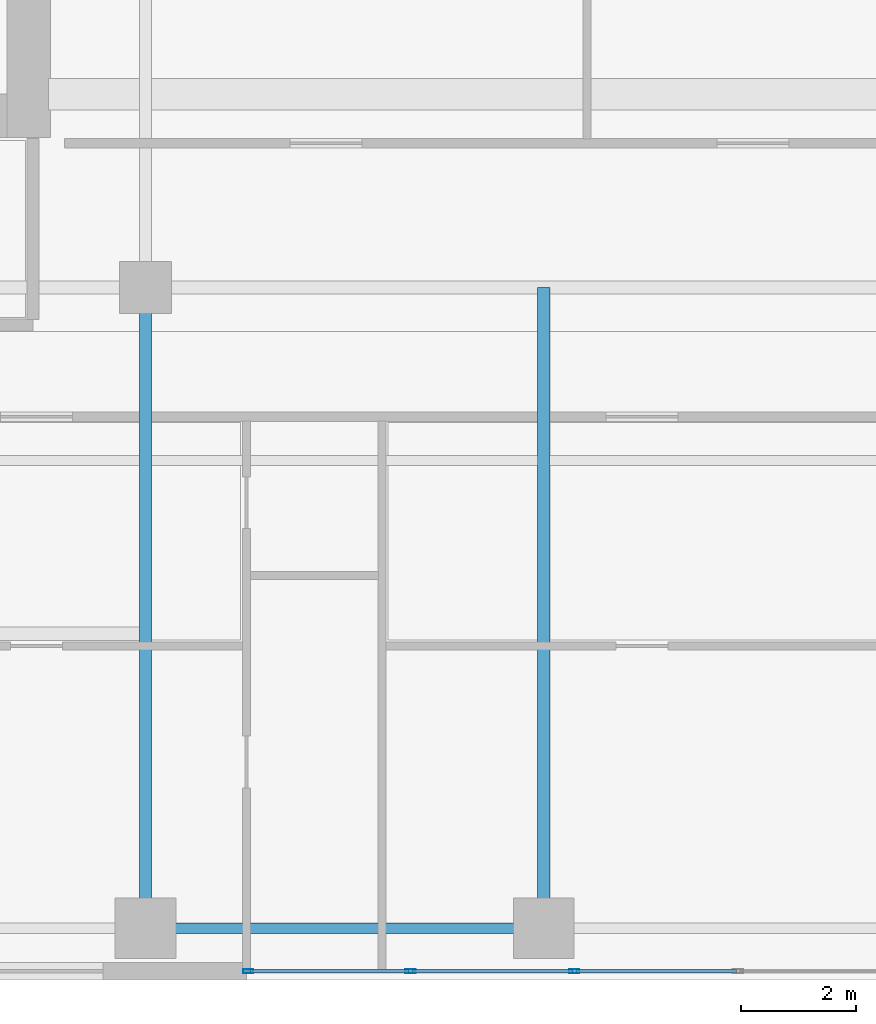
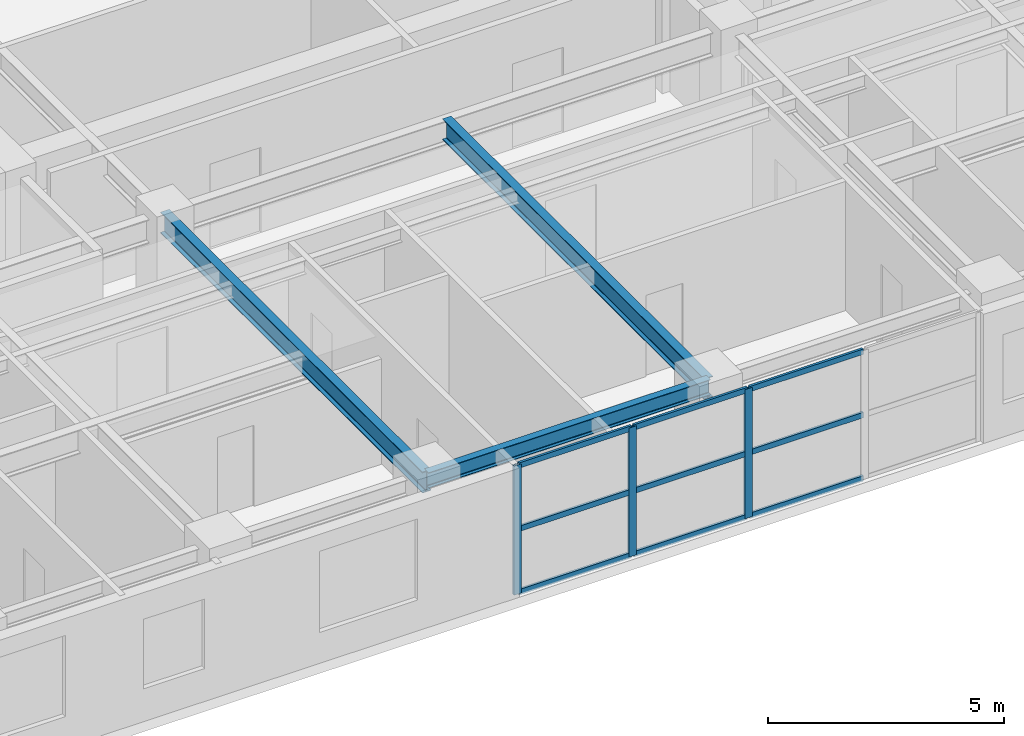
# One storey, part 2 of 20: 12 members, 3 beams, 1 element without a shape of its own.
"""IFC4 building model written with IfcOpenShell, lengths in metres."""

from ifc_helpers import new_model, si_unit, direction, frame, origin, origin_2d, place, context, subcontext, project, spatial, hollow_rectangle, i_section, extrude, source, transform, mapped, material, layer, layer_set, material_profile, profile_set, type_object, element, aggregate, save


model = new_model("IFC4")

# Units and contexts
model_context = context("Model", 3, precision=1e-05, world=origin(), true_north=direction((0.0, 1.0)))
body_context = subcontext(model_context, "Body", "Model", "MODEL_VIEW")
ifc_project = project(units=[si_unit("LENGTHUNIT", "METRE"), si_unit("AREAUNIT", "SQUARE_METRE"), si_unit("VOLUMEUNIT", "CUBIC_METRE"), si_unit("PLANEANGLEUNIT", "RADIAN"), si_unit("MASSUNIT", "GRAM", prefix="KILO")], contexts=[model_context])

# Site, building, storey
site_placement = place(None, origin())
site = spatial("IfcSite", under=ifc_project, at=site_placement, CompositionType="ELEMENT")
building_placement = place(site_placement, origin())
building = spatial("IfcBuilding", under=site, at=building_placement, Name="Khoralis Quay Care Tower", CompositionType="ELEMENT")
storey_placement = place(building_placement, frame((0.0, 0.0, 116.10009765625)))
storey = spatial("IfcBuildingStorey", under=building, at=storey_placement, Name="L30", CompositionType="ELEMENT", Elevation=116.10009765625)

# Beams
ifc_material_1 = material(Name="Steel S355", Category="steel")
ifc_material_profile_1 = material_profile(ifc_material_1, i_section(OverallWidth=0.179931640625, OverallDepth=0.39990234375, WebThickness=0.008544921875, FlangeThickness=0.013427734375, FilletRadius=0.02099609375, at=origin_2d()), Name="Steel S355")
ifc_profile_set_1 = profile_set([ifc_material_profile_1], Name="Steel S355")
beam_type_1 = type_object("IfcBeamType", Name="BM-IPE400", PredefinedType="SPANDREL", material=ifc_profile_set_1)
shared_shape_1 = source(origin(), body_context, "Body", "SweptSolid", [
    extrude(i_section(OverallWidth=0.179931640625, OverallDepth=0.39990234375, WebThickness=0.008544921875, FlangeThickness=0.013427734375, FilletRadius=0.02099609375, at=origin_2d()), origin(), (0.0, 0.0, 1.0), 6.89990234375),
])
beam_placement = place(storey_placement, frame((17.10009765625, 0.89990234375, 3.139892578125), z_axis=(1.0, 0.0, 0.0), x_axis=(0.0, 1.0, 0.0)))
element("IfcBeam", 1, at=beam_placement, inside=storey, type_object=beam_type_1, Name="BM-TSP-L30-03", PredefinedType="SPANDREL", context=body_context, shape_type="MappedRepresentation", body=[
    mapped(shared_shape_1, transform((0.0, 0.0, 0.0), scale=1.0)),
])
ifc_material_profile_2 = material_profile(ifc_material_1, i_section(OverallWidth=0.2119140625, OverallDepth=0.5439453125, WebThickness=0.01318359375, FlangeThickness=0.021240234375, FilletRadius=0.01611328125, at=origin_2d()), Name="Steel S355")
ifc_profile_set_2 = profile_set([ifc_material_profile_2], Name="Steel S355")
beam_type_2 = type_object("IfcBeamType", Name="BM-W530X123", PredefinedType="BEAM", material=ifc_profile_set_2)
shared_shape_2 = source(origin(), body_context, "Body", "SweptSolid", [
    extrude(i_section(OverallWidth=0.2119140625, OverallDepth=0.5439453125, WebThickness=0.01318359375, FlangeThickness=0.021240234375, FilletRadius=0.01611328125, at=origin_2d()), origin(), (0.0, 0.0, 1.0), 11.10009765625),
])
for number, where, z_axis, x_axis, name in (
    (2, (17.10009765625, 0.89990234375, 3.06787109375), (0.0, 1.0, 0.0), (-1.0, 0.0, 0.0), "BM-TGYS-L30-171"),
    (3, (24.0, 0.89990234375, 3.06787109375), (0.0, 1.0, 0.0), (-1.0, 0.0, 0.0), "BM-TGYS-L30-240"),
):
    element("IfcBeam", number, at=place(storey_placement, frame(where, z_axis=z_axis, x_axis=x_axis)), inside=storey, type_object=beam_type_2, Name=name, PredefinedType="BEAM", context=body_context, shape_type="MappedRepresentation", body=[
        mapped(shared_shape_2, transform((0.0, 0.0, 0.0), scale=1.0)),
    ])

# Curtain wall, members
ifc_material_2 = material(Name="Pale anodised aluminium", Category="aluminium")
ifc_layer = layer(ifc_material_2, 0.169921875)
ifc_layer_set = layer_set([ifc_layer], Name="Pale anodised aluminium")
curtain_wall_type = type_object("IfcCurtainWallType", Name="CW-SYS-Z2", PredefinedType="NOTDEFINED", material=ifc_layer_set)
curtain_wall_placement = place(storey_placement, origin())
curtain_wall = element("IfcCurtainWall", 4, at=curtain_wall_placement, inside=storey, type_object=curtain_wall_type, Name="L30 Unitised Curtain Wall CW-L30-P1-E0", PredefinedType="NOTDEFINED")
ifc_material_profile_3 = material_profile(ifc_material_2, hollow_rectangle(XDim=0.06494140625, YDim=0.179931640625, WallThickness=0.00390625, at=origin_2d()), Name="Pale anodised aluminium")
ifc_profile_set_3 = profile_set([ifc_material_profile_3], Name="Pale anodised aluminium")
member_type_1 = type_object("IfcMemberType", Name="CW-MUL-180", PredefinedType="MULLION", material=ifc_profile_set_3)
shared_shape_3 = source(origin(), body_context, "Body", "SweptSolid", [
    extrude(hollow_rectangle(XDim=0.06494140625, YDim=0.179931640625, WallThickness=0.00390625, at=origin_2d()), origin(), (0.0, 0.0, 1.0), 3.33984375),
])
member_1_placement = place(storey_placement, frame((18.8798828125, 0.14990234375, 0.0), z_axis=(0.0, 0.0, 1.0), x_axis=(0.0, 1.0, 0.0)))
member_1 = element("IfcMember", 5, at=member_1_placement, type_object=member_type_1, Name="CW2 mullion 1", PredefinedType="MULLION", context=body_context, shape_type="MappedRepresentation", body=[
    mapped(shared_shape_3, transform((0.0, 0.0, 0.0), scale=1.0)),
])
member_2_placement = place(storey_placement, frame((21.68994140625, 0.14990234375, 0.0), z_axis=(0.0, 0.0, 1.0), x_axis=(0.0, 1.0, 0.0)))
member_2 = element("IfcMember", 6, at=member_2_placement, type_object=member_type_1, Name="CW2 mullion 2", PredefinedType="MULLION", context=body_context, shape_type="MappedRepresentation", body=[
    mapped(shared_shape_3, transform((0.0, 0.0, 0.0), scale=1.0)),
])
member_3_placement = place(storey_placement, frame((24.530029296875, 0.14990234375, 0.0), z_axis=(0.0, 0.0, 1.0), x_axis=(0.0, 1.0, 0.0)))
member_3 = element("IfcMember", 7, at=member_3_placement, type_object=member_type_1, Name="CW2 mullion 3", PredefinedType="MULLION", context=body_context, shape_type="MappedRepresentation", body=[
    mapped(shared_shape_3, transform((0.0, 0.0, 0.0), scale=1.0)),
])
ifc_material_profile_4 = material_profile(ifc_material_2, hollow_rectangle(XDim=0.06005859375, YDim=0.139892578125, WallThickness=0.00390625, at=origin_2d()), Name="Pale anodised aluminium")
ifc_profile_set_4 = profile_set([ifc_material_profile_4], Name="Pale anodised aluminium")
member_type_2 = type_object("IfcMemberType", Name="CW-TRN-140", PredefinedType="USERDEFINED", material=ifc_profile_set_4)
shared_shape_4 = source(origin(), body_context, "Body", "SweptSolid", [
    extrude(hollow_rectangle(XDim=0.06005859375, YDim=0.139892578125, WallThickness=0.00390625, at=origin_2d()), origin(), (0.0, 0.0, 1.0), 2.75),
])
member_4_placement = place(storey_placement, frame((18.909912109375, 0.14990234375, 0.02978515625), z_axis=(1.0, 0.0, 0.0), x_axis=(0.0, 1.0, 0.0)))
member_4 = element("IfcMember", 8, at=member_4_placement, type_object=member_type_2, Name="CW2 transom 1.1", ObjectType="TRANSOM", PredefinedType="USERDEFINED", context=body_context, shape_type="MappedRepresentation", body=[
    mapped(shared_shape_4, transform((0.0, 0.0, 0.0), scale=1.0)),
])
member_5_placement = place(storey_placement, frame((18.909912109375, 0.14990234375, 1.669921875), z_axis=(1.0, 0.0, 0.0), x_axis=(0.0, 1.0, 0.0)))
member_5 = element("IfcMember", 9, at=member_5_placement, type_object=member_type_2, Name="CW2 transom 1.2", ObjectType="TRANSOM", PredefinedType="USERDEFINED", context=body_context, shape_type="MappedRepresentation", body=[
    mapped(shared_shape_4, transform((0.0, 0.0, 0.0), scale=1.0)),
])
member_6_placement = place(storey_placement, frame((18.909912109375, 0.14990234375, 3.309814453125), z_axis=(1.0, 0.0, 0.0), x_axis=(0.0, 1.0, 0.0)))
member_6 = element("IfcMember", 10, at=member_6_placement, type_object=member_type_2, Name="CW2 transom 1.3", ObjectType="TRANSOM", PredefinedType="USERDEFINED", context=body_context, shape_type="MappedRepresentation", body=[
    mapped(shared_shape_4, transform((0.0, 0.0, 0.0), scale=1.0)),
])
shared_shape_5 = source(origin(), body_context, "Body", "SweptSolid", [
    extrude(hollow_rectangle(XDim=0.06005859375, YDim=0.139892578125, WallThickness=0.00390625, at=origin_2d()), origin(), (0.0, 0.0, 1.0), 2.780029296875),
])
member_7_placement = place(storey_placement, frame((21.719970703125, 0.14990234375, 0.02978515625), z_axis=(1.0, 0.0, 0.0), x_axis=(0.0, 1.0, 0.0)))
member_7 = element("IfcMember", 11, at=member_7_placement, type_object=member_type_2, Name="CW2 transom 2.1", ObjectType="TRANSOM", PredefinedType="USERDEFINED", context=body_context, shape_type="MappedRepresentation", body=[
    mapped(shared_shape_5, transform((0.0, 0.0, 0.0), scale=1.0)),
])
member_8_placement = place(storey_placement, frame((21.719970703125, 0.14990234375, 1.669921875), z_axis=(1.0, 0.0, 0.0), x_axis=(0.0, 1.0, 0.0)))
member_8 = element("IfcMember", 12, at=member_8_placement, type_object=member_type_2, Name="CW2 transom 2.2", ObjectType="TRANSOM", PredefinedType="USERDEFINED", context=body_context, shape_type="MappedRepresentation", body=[
    mapped(shared_shape_5, transform((0.0, 0.0, 0.0), scale=1.0)),
])
member_9_placement = place(storey_placement, frame((21.719970703125, 0.14990234375, 3.309814453125), z_axis=(1.0, 0.0, 0.0), x_axis=(0.0, 1.0, 0.0)))
member_9 = element("IfcMember", 13, at=member_9_placement, type_object=member_type_2, Name="CW2 transom 2.3", ObjectType="TRANSOM", PredefinedType="USERDEFINED", context=body_context, shape_type="MappedRepresentation", body=[
    mapped(shared_shape_5, transform((0.0, 0.0, 0.0), scale=1.0)),
])
member_10_placement = place(storey_placement, frame((24.56005859375, 0.14990234375, 0.02978515625), z_axis=(1.0, 0.0, 0.0), x_axis=(0.0, 1.0, 0.0)))
member_10 = element("IfcMember", 14, at=member_10_placement, type_object=member_type_2, Name="CW2 transom 3.1", ObjectType="TRANSOM", PredefinedType="USERDEFINED", context=body_context, shape_type="MappedRepresentation", body=[
    mapped(shared_shape_5, transform((0.0, 0.0, 0.0), scale=1.0)),
])
member_11_placement = place(storey_placement, frame((24.56005859375, 0.14990234375, 1.669921875), z_axis=(1.0, 0.0, 0.0), x_axis=(0.0, 1.0, 0.0)))
member_11 = element("IfcMember", 15, at=member_11_placement, type_object=member_type_2, Name="CW2 transom 3.2", ObjectType="TRANSOM", PredefinedType="USERDEFINED", context=body_context, shape_type="MappedRepresentation", body=[
    mapped(shared_shape_5, transform((0.0, 0.0, 0.0), scale=1.0)),
])
member_12_placement = place(storey_placement, frame((24.56005859375, 0.14990234375, 3.309814453125), z_axis=(1.0, 0.0, 0.0), x_axis=(0.0, 1.0, 0.0)))
member_12 = element("IfcMember", 16, at=member_12_placement, type_object=member_type_2, Name="CW2 transom 3.3", ObjectType="TRANSOM", PredefinedType="USERDEFINED", context=body_context, shape_type="MappedRepresentation", body=[
    mapped(shared_shape_5, transform((0.0, 0.0, 0.0), scale=1.0)),
])
aggregate(curtain_wall, [member_1, member_2, member_3, member_4, member_5, member_6, member_7, member_8, member_9, member_10, member_11, member_12])

save(model, "model.ifc")
